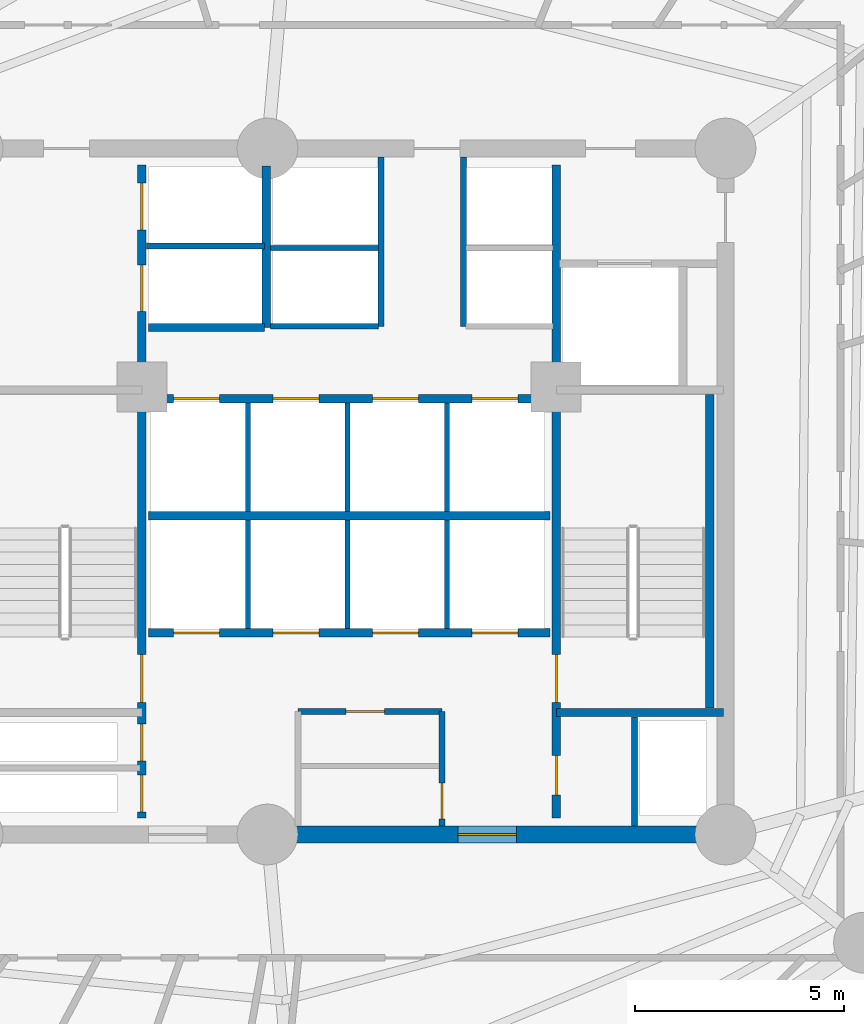
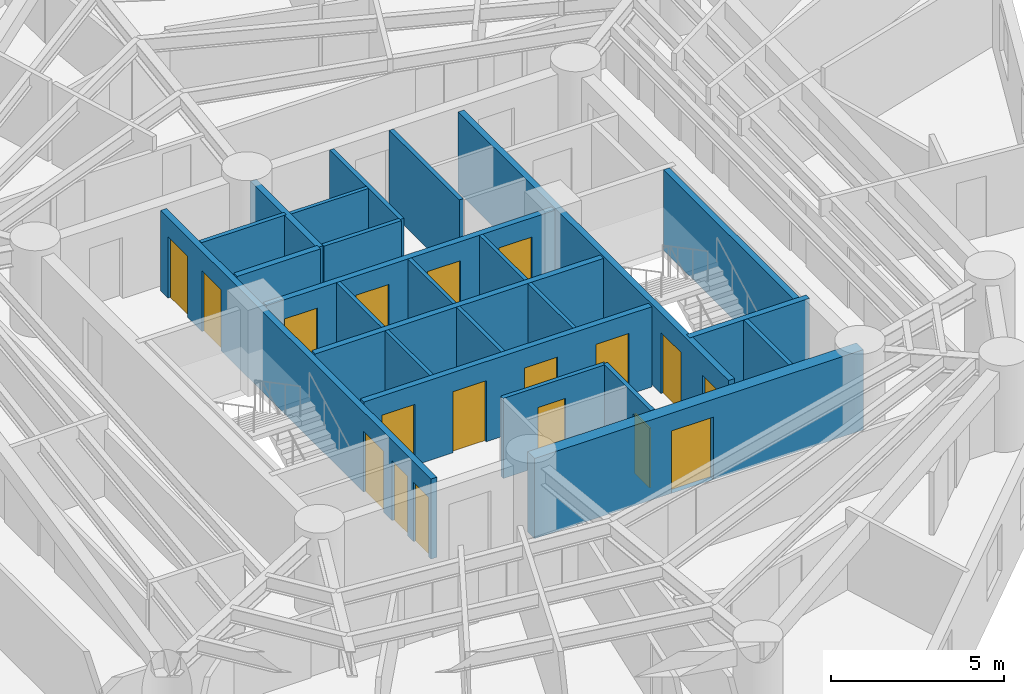
# One storey, part 4 of 8: 24 walls, 18 doors, 18 openings.
"""IFC4 building model written with IfcOpenShell, lengths in metres."""

from ifc_helpers import new_model, si_unit, direction, frame, frame_2d, origin, origin_with_axes, place, context, subcontext, project, spatial, rectangle, extrude, source, transform, mapped, material, layer, layer_set, type_object, element, fill, save


model = new_model("IFC4")

# Units and contexts
model_context = context("Model", 3, precision=1e-05, world=origin(), true_north=direction((0.0, 1.0)))
body_context = subcontext(model_context, "Body", "Model", "MODEL_VIEW")
ifc_project = project(units=[si_unit("LENGTHUNIT", "METRE"), si_unit("AREAUNIT", "SQUARE_METRE"), si_unit("VOLUMEUNIT", "CUBIC_METRE"), si_unit("PLANEANGLEUNIT", "RADIAN"), si_unit("MASSUNIT", "GRAM", prefix="KILO")], contexts=[model_context])

# Site, building, storey
site_placement = place(None, origin())
site = spatial("IfcSite", under=ifc_project, at=site_placement, CompositionType="ELEMENT")
building_placement = place(site_placement, origin())
building = spatial("IfcBuilding", under=site, at=building_placement, Name="Karkom Vertical University and Central Library", CompositionType="ELEMENT")
storey_placement = place(building_placement, frame((0.0, 0.0, 105.35009765625)))
storey = spatial("IfcBuildingStorey", under=building, at=storey_placement, Name="L28", CompositionType="ELEMENT", Elevation=105.35009765625)

# Walls
ifc_material_1 = material(Name="Moisture-resistant drywall 120mm", Category="gypsum")
ifc_layer_1 = layer(ifc_material_1, 0.1201171875)
ifc_layer_set_1 = layer_set([ifc_layer_1], Name="Moisture-resistant drywall 120mm")
wall_type_1 = type_object("IfcWallType", Name="INT-WL-INT-120H", PredefinedType="PARTITIONING", material=ifc_layer_set_1)
for number, where, z_axis, x_axis, name in (
    (1, (26.080078125, 23.219970703125, 0.0), (0.0, 0.0, 1.0), (0.0, 1.0, 0.0), "Level 28 Interior Partition Wall L28-CW-PL-DIV1"),
    (2, (28.4599609375, 23.219970703125, 0.0), (0.0, 0.0, 1.0), (0.0, 1.0, 0.0), "Level 28 Interior Partition Wall L28-CW-PL-DIV2"),
    (3, (30.840087890625, 23.219970703125, 0.0), (0.0, 0.0, 1.0), (0.0, 1.0, 0.0), "Level 28 Interior Partition Wall L28-CW-PL-DIV3"),
    (4, (26.080078125, 26.02001953125, 0.0), (0.0, 0.0, 1.0), (0.0, 1.0, 0.0), "Level 28 Interior Partition Wall L28-CW-PM-DIV1"),
    (5, (28.4599609375, 26.02001953125, 0.0), (0.0, 0.0, 1.0), (0.0, 1.0, 0.0), "Level 28 Interior Partition Wall L28-CW-PM-DIV2"),
    (6, (30.840087890625, 26.02001953125, 0.0), (0.0, 0.0, 1.0), (0.0, 1.0, 0.0), "Level 28 Interior Partition Wall L28-CW-PM-DIV3"),
):
    element("IfcWall", number, at=place(storey_placement, frame(where, z_axis=z_axis, x_axis=x_axis)), inside=storey, type_object=wall_type_1, Name=name, PredefinedType="PARTITIONING", context=body_context, shape_type="SweptSolid", body=[
        extrude(rectangle(XDim=2.60009765625, YDim=0.1201171875, at=frame_2d((1.300048828125, 0.0))), origin(), (0.0, 0.0, 1.0), 2.824951171875),
    ])
wall_1_placement = place(storey_placement, frame((26.6201171875, 32.320068359375, 0.0), z_axis=(0.0, 0.0, 1.0), x_axis=(1.0, 0.0, 0.0)))
element("IfcWall", 7, at=wall_1_placement, inside=storey, type_object=wall_type_1, Name="Level 28 Interior Partition Wall L28-CW-PH-MW", PredefinedType="PARTITIONING", context=body_context, shape_type="SweptSolid", body=[
    extrude(rectangle(XDim=2.579833984375, YDim=0.1201171875, at=frame_2d((1.2900390625, 0.0))), origin(), (0.0, 0.0, 1.0), 2.824951171875),
])

# Wall, opening, door
ifc_material_2 = material(Name="Metal-stud gypsum partition 140mm", Category="gypsum")
ifc_layer_2 = layer(ifc_material_2, 0.139892578125)
ifc_layer_set_2 = layer_set([ifc_layer_2], Name="Metal-stud gypsum partition 140mm")
wall_type_2 = type_object("IfcWallType", Name="INT-WL-SUB-140", PredefinedType="PARTITIONING", material=ifc_layer_set_2)
wall_2_placement = place(storey_placement, frame((27.280029296875, 21.239990234375, 0.0), z_axis=(0.0, 0.0, 1.0), x_axis=(1.0, 0.0, 0.0)))
wall_2 = element("IfcWall", 8, at=wall_2_placement, inside=storey, type_object=wall_type_2, Name="Level 28 Interior Partition Wall L28-CW-KBAY-N", PredefinedType="PARTITIONING", context=body_context, shape_type="SweptSolid", body=[
    extrude(rectangle(XDim=3.43994140625, YDim=0.139892578125, at=frame_2d((1.719970703125, 0.0))), origin(), (0.0, 0.0, 1.0), 2.824951171875),
])
opening_1_placement = place(wall_2_placement, frame((1.14990234375, 0.0, 0.0)))
opening_1 = element("IfcOpeningElement", 9, at=opening_1_placement, cuts=wall_2, Name="Opening D-SVC1", PredefinedType="OPENING", context=body_context, shape_type="SweptSolid", body=[
    extrude(rectangle(XDim=0.919921875, YDim=2.10009765625, at=frame_2d((0.4599609375, 1.050048828125))), frame((0.0, 0.080078125, 0.0), z_axis=(0.0, -1.0, 0.0), x_axis=(1.0, 0.0, 0.0)), (0.0, 0.0, 1.0), 0.159912109375),
])
ifc_material_3 = material(Name="Painted timber service door", Category="wood")
door_type_1 = type_object("IfcDoorType", Name="INT-DR-SVC1", OperationType="NOTDEFINED", PredefinedType="DOOR", material=ifc_material_3)
shared_shape_1 = source(origin_with_axes(), body_context, "Body", "SweptSolid", [
    extrude(rectangle(XDim=0.919921875, YDim=2.10009765625, at=frame_2d((0.4599609375, 1.050048828125))), frame((0.0, 0.02490234375, 0.0), z_axis=(0.0, -1.0, 0.0), x_axis=(1.0, 0.0, 0.0)), (0.0, 0.0, 1.0), 0.050048828125),
])
door_1_placement = place(opening_1_placement, origin())
door_1 = element("IfcDoor", 10, at=door_1_placement, inside=storey, type_object=door_type_1, Name="Level 28 Valve Cupboard Door", OperationType="SINGLE_SWING_LEFT", OverallHeight=2.10009765625, OverallWidth=0.919921875, PredefinedType="DOOR", context=body_context, shape_type="MappedRepresentation", body=[
    mapped(shared_shape_1, transform((0.0, 0.0, 0.0), scale=1.0)),
])
fill(opening_1, door_1)

wall_3_placement = place(storey_placement, frame((30.719970703125, 18.507080078125, 0.0), z_axis=(0.0, 0.0, 1.0), x_axis=(0.0, 1.0, 0.0)))
wall_3 = element("IfcWall", 11, at=wall_3_placement, inside=storey, type_object=wall_type_2, Name="Level 28 Interior Partition Wall L28-CW-KBAY-E", PredefinedType="PARTITIONING", context=body_context, shape_type="SweptSolid", body=[
    extrude(rectangle(XDim=2.73291015625, YDim=0.139892578125, at=frame_2d((1.366455078125, 0.0))), origin(), (0.0, 0.0, 1.0), 2.824951171875),
])
opening_2_placement = place(wall_3_placement, frame((0.159912109375, 0.0, 0.0)))
opening_2 = element("IfcOpeningElement", 12, at=opening_2_placement, cuts=wall_3, Name="Opening FD-BTH1", PredefinedType="OPENING", context=body_context, shape_type="SweptSolid", body=[
    extrude(rectangle(XDim=0.860107421875, YDim=2.10009765625, at=frame_2d((0.43017578125, 1.050048828125))), frame((0.0, 0.080078125, 0.0), z_axis=(0.0, -1.0, 0.0), x_axis=(1.0, 0.0, 0.0)), (0.0, 0.0, 1.0), 0.159912109375),
])
ifc_material_4 = material(Name="Fire-rated moisture-resistant oak door", Category="wood")
door_type_2 = type_object("IfcDoorType", Name="INT-DR-FBTH1", OperationType="NOTDEFINED", PredefinedType="DOOR", material=ifc_material_4)
shared_shape_2 = source(origin_with_axes(), body_context, "Body", "SweptSolid", [
    extrude(rectangle(XDim=0.860107421875, YDim=2.10009765625, at=frame_2d((0.43017578125, 1.050048828125))), frame((0.0, 0.02490234375, 0.0), z_axis=(0.0, -1.0, 0.0), x_axis=(1.0, 0.0, 0.0)), (0.0, 0.0, 1.0), 0.050048828125),
])
door_2_placement = place(opening_2_placement, origin())
door_2 = element("IfcDoor", 13, at=door_2_placement, inside=storey, type_object=door_type_2, Name="Level 28 Metering Cupboard Door", OperationType="SINGLE_SWING_RIGHT", OverallHeight=2.10009765625, OverallWidth=0.860107421875, PredefinedType="DOOR", context=body_context, shape_type="MappedRepresentation", body=[
    mapped(shared_shape_2, transform((0.0, 0.0, 0.0), scale=1.0)),
])
fill(opening_2, door_2)

# Walls
ifc_layer_3 = layer(ifc_material_2, 0.139892578125)
ifc_layer_set_3 = layer_set([ifc_layer_3], Name="Metal-stud gypsum partition 140mm")
wall_type_3 = type_object("IfcWallType", Name="INT-WL-SUB-140H", PredefinedType="PARTITIONING", material=ifc_layer_set_3)
for number, where, z_axis, x_axis, name in (
    (14, (29.260009765625, 30.449951171875, 0.0), (0.0, 0.0, 1.0), (0.0, 1.0, 0.0), "Level 28 Interior Partition Wall L28-CW-PH-W"),
    (15, (31.239990234375, 30.449951171875, 0.0), (0.0, 0.0, 1.0), (0.0, 1.0, 0.0), "Level 28 Interior Partition Wall L28-CW-PH-E"),
):
    element("IfcWall", number, at=place(storey_placement, frame(where, z_axis=z_axis, x_axis=x_axis)), inside=storey, type_object=wall_type_3, Name=name, PredefinedType="PARTITIONING", context=body_context, shape_type="SweptSolid", body=[
        extrude(rectangle(XDim=4.04296875, YDim=0.139892578125, at=frame_2d((2.021484375, 0.0))), origin(), (0.0, 0.0, 1.0), 2.824951171875),
    ])
wall_4_placement = place(storey_placement, frame((26.6201171875, 30.449951171875, 0.0), z_axis=(0.0, 0.0, 1.0), x_axis=(1.0, 0.0, 0.0)))
element("IfcWall", 16, at=wall_4_placement, inside=storey, type_object=wall_type_3, Name="Level 28 Interior Partition Wall L28-CW-PH-S1", PredefinedType="PARTITIONING", context=body_context, shape_type="SweptSolid", body=[
    extrude(rectangle(XDim=2.579833984375, YDim=0.139892578125, at=frame_2d((1.2900390625, 0.0))), origin(), (0.0, 0.0, 1.0), 2.824951171875),
])
wall_5_placement = place(storey_placement, frame((35.320068359375, 18.507080078125, 0.0), z_axis=(0.0, 0.0, 1.0), x_axis=(0.0, 1.0, 0.0)))
element("IfcWall", 17, at=wall_5_placement, inside=storey, type_object=wall_type_3, Name="Level 28 Interior Partition Wall L28-CW-RIS-E", PredefinedType="PARTITIONING", context=body_context, shape_type="SweptSolid", body=[
    extrude(rectangle(XDim=2.603759765625, YDim=0.139892578125, at=frame_2d((1.3017578125, 0.0))), origin(), (0.0, 0.0, 1.0), 2.824951171875),
])
ifc_layer_4 = layer(ifc_material_2, 0.139892578125)
ifc_layer_set_4 = layer_set([ifc_layer_4], Name="Metal-stud gypsum partition 140mm")
wall_type_4 = type_object("IfcWallType", Name="INT-WL-SUB-140X", PredefinedType="PARTITIONING", material=ifc_layer_set_4)
wall_6_placement = place(storey_placement, frame((23.652099609375, 32.3701171875, 0.0), z_axis=(0.0, 0.0, 1.0), x_axis=(1.0, 0.0, 0.0)))
element("IfcWall", 18, at=wall_6_placement, inside=storey, type_object=wall_type_4, Name="Level 28 Interior Partition Wall L28-CW-FFL-M", PredefinedType="PARTITIONING", context=body_context, shape_type="SweptSolid", body=[
    extrude(rectangle(XDim=2.827880859375, YDim=0.139892578125, at=frame_2d((1.4140625, 0.0))), origin(), (0.0, 0.0, 1.0), 2.824951171875),
])

# Wall, opening, door
ifc_material_5 = material(Name="Concrete C50/60", Category="concrete")
ifc_layer_5 = layer(ifc_material_5, 0.39990234375)
ifc_layer_set_5 = layer_set([ifc_layer_5], Name="Concrete C50/60")
wall_type_5 = type_object("IfcWallType", Name="STR-WL-CW-400", PredefinedType="SHEAR", material=ifc_layer_set_5)
wall_7_placement = place(storey_placement, frame((26.550048828125, 18.300048828125, 0.0), z_axis=(0.0, 0.0, 1.0), x_axis=(1.0, 0.0, 0.0)))
wall_7 = element("IfcWall", 19, at=wall_7_placement, inside=storey, type_object=wall_type_5, Name="Level 28 Central Core Shear Wall SW2", PredefinedType="SHEAR", context=body_context, shape_type="SweptSolid", body=[
    extrude(rectangle(XDim=10.949951171875, YDim=0.39990234375, at=frame_2d((5.47509765625, 0.0))), origin(), (0.0, 0.0, 1.0), 2.824951171875),
])
opening_3_placement = place(wall_7_placement, frame((4.550048828125, 0.0, 0.0)))
opening_3 = element("IfcOpeningElement", 20, at=opening_3_placement, cuts=wall_7, Name="Opening FD-CLB", PredefinedType="OPENING", context=body_context, shape_type="SweptSolid", body=[
    extrude(rectangle(XDim=1.39990234375, YDim=2.199951171875, at=frame_2d((0.699951171875, 1.10009765625))), frame((0.0, 0.2099609375, 0.0), z_axis=(0.0, -1.0, 0.0), x_axis=(1.0, 0.0, 0.0)), (0.0, 0.0, 1.0), 0.419921875),
])
ifc_material_6 = material(Name="Painted steel fire door", Category="steel")
door_type_3 = type_object("IfcDoorType", Name="INT-DR-CLB", OperationType="DOUBLE_DOOR_SINGLE_SWING", PredefinedType="DOOR", material=ifc_material_6)
shared_shape_3 = source(origin_with_axes(), body_context, "Body", "SweptSolid", [
    extrude(rectangle(XDim=1.39990234375, YDim=2.199951171875, at=frame_2d((0.699951171875, 1.10009765625))), frame((0.0, 0.02490234375, 0.0), z_axis=(0.0, -1.0, 0.0), x_axis=(1.0, 0.0, 0.0)), (0.0, 0.0, 1.0), 0.050048828125),
])
door_3_placement = place(opening_3_placement, origin())
door_3 = element("IfcDoor", 21, at=door_3_placement, inside=storey, type_object=door_type_3, Name="Level 28 South Core Lobby East Exit Door", OperationType="DOUBLE_DOOR_SINGLE_SWING", OverallHeight=2.199951171875, OverallWidth=1.39990234375, PredefinedType="DOOR", context=body_context, shape_type="MappedRepresentation", body=[
    mapped(shared_shape_3, transform((0.0, 0.0, 0.0), scale=1.0)),
])
fill(opening_3, door_3)

# Wall, openings, doors
ifc_material_7 = material(Name="Concrete C45/55", Category="concrete")
ifc_layer_6 = layer(ifc_material_7, 0.199951171875)
ifc_layer_set_6 = layer_set([ifc_layer_6], Name="Concrete C45/55")
wall_type_6 = type_object("IfcWallType", Name="STR-WL-ST-200", PredefinedType="SHEAR", material=ifc_layer_set_6)
wall_8_placement = place(storey_placement, frame((23.544921875, 18.699951171875, 0.0), z_axis=(0.0, 0.0, 1.0), x_axis=(0.0, 1.0, 0.0)))
wall_8 = element("IfcWall", 22, at=wall_8_placement, inside=storey, type_object=wall_type_6, Name="Level 28 Core Shaft Wall L28-CW-ST1-E", PredefinedType="SHEAR", context=body_context, shape_type="SweptSolid", body=[
    extrude(rectangle(XDim=15.60009765625, YDim=0.199951171875, at=frame_2d((7.800048828125, 0.0))), origin(), (0.0, 0.0, 1.0), 2.824951171875),
])
opening_4_placement = place(wall_8_placement, frame((2.75, 0.0, 0.0)))
opening_4 = element("IfcOpeningElement", 23, at=opening_4_placement, cuts=wall_8, Name="Opening FD-ST1", PredefinedType="OPENING", context=body_context, shape_type="SweptSolid", body=[
    extrude(rectangle(XDim=1.14990234375, YDim=2.14990234375, at=frame_2d((0.574951171875, 1.074951171875))), frame((0.0, 0.10986328125, 0.0), z_axis=(0.0, -1.0, 0.0), x_axis=(1.0, 0.0, 0.0)), (0.0, 0.0, 1.0), 0.219970703125),
])
opening_5_placement = place(wall_8_placement, frame((0.139892578125, 0.0, 0.0)))
opening_5 = element("IfcOpeningElement", 24, at=opening_5_placement, cuts=wall_8, Name="Opening FD-RIS", PredefinedType="OPENING", context=body_context, shape_type="SweptSolid", body=[
    extrude(rectangle(XDim=0.8798828125, YDim=2.10009765625, at=frame_2d((0.43994140625, 1.050048828125))), frame((0.0, 0.10986328125, 0.0), z_axis=(0.0, -1.0, 0.0), x_axis=(1.0, 0.0, 0.0)), (0.0, 0.0, 1.0), 0.219970703125),
])
opening_6_placement = place(wall_8_placement, frame((1.360107421875, 0.0, 0.0)))
opening_6 = element("IfcOpeningElement", 25, at=opening_6_placement, cuts=wall_8, Name="Opening FD-RIS", PredefinedType="OPENING", context=body_context, shape_type="SweptSolid", body=[
    extrude(rectangle(XDim=0.8798828125, YDim=2.10009765625, at=frame_2d((0.43994140625, 1.050048828125))), frame((0.0, 0.10986328125, 0.0), z_axis=(0.0, -1.0, 0.0), x_axis=(1.0, 0.0, 0.0)), (0.0, 0.0, 1.0), 0.219970703125),
])
opening_7_placement = place(wall_8_placement, frame((12.10009765625, 0.0, 0.0)))
opening_7 = element("IfcOpeningElement", 26, at=opening_7_placement, cuts=wall_8, Name="Opening LD-FFL", PredefinedType="OPENING", context=body_context, shape_type="SweptSolid", body=[
    extrude(rectangle(XDim=1.1201171875, YDim=2.14990234375, at=frame_2d((0.56005859375, 1.074951171875))), frame((0.0, 0.10986328125, 0.0), z_axis=(0.0, -1.0, 0.0), x_axis=(1.0, 0.0, 0.0)), (0.0, 0.0, 1.0), 0.219970703125),
])
opening_8_placement = place(wall_8_placement, frame((14.050048828125, 0.0, 0.0)))
opening_8 = element("IfcOpeningElement", 27, at=opening_8_placement, cuts=wall_8, Name="Opening LD-FFL", PredefinedType="OPENING", context=body_context, shape_type="SweptSolid", body=[
    extrude(rectangle(XDim=1.1201171875, YDim=2.14990234375, at=frame_2d((0.56005859375, 1.074951171875))), frame((0.0, 0.10986328125, 0.0), z_axis=(0.0, -1.0, 0.0), x_axis=(1.0, 0.0, 0.0)), (0.0, 0.0, 1.0), 0.219970703125),
])
ifc_material_8 = material(Name="Painted steel acoustic fire door", Category="steel")
door_type_4 = type_object("IfcDoorType", Name="INT-DR-ST1", OperationType="NOTDEFINED", PredefinedType="DOOR", material=ifc_material_8)
shared_shape_4 = source(origin_with_axes(), body_context, "Body", "SweptSolid", [
    extrude(rectangle(XDim=1.14990234375, YDim=2.14990234375, at=frame_2d((0.574951171875, 1.074951171875))), frame((0.0, 0.02490234375, 0.0), z_axis=(0.0, -1.0, 0.0), x_axis=(1.0, 0.0, 0.0)), (0.0, 0.0, 1.0), 0.050048828125),
])
door_4_placement = place(opening_4_placement, origin())
door_4 = element("IfcDoor", 28, at=door_4_placement, inside=storey, type_object=door_type_4, Name="Level 28 Stair ST-1 Fire Door", OperationType="SINGLE_SWING_LEFT", OverallHeight=2.14990234375, OverallWidth=1.14990234375, PredefinedType="DOOR", context=body_context, shape_type="MappedRepresentation", body=[
    mapped(shared_shape_4, transform((0.0, 0.0, 0.0), scale=1.0)),
])
fill(opening_4, door_4)
ifc_material_9 = material(Name="Painted steel riser access door", Category="steel")
door_type_5 = type_object("IfcDoorType", Name="INT-DR-RIS", OperationType="NOTDEFINED", PredefinedType="DOOR", material=ifc_material_9)
shared_shape_5 = source(origin_with_axes(), body_context, "Body", "SweptSolid", [
    extrude(rectangle(XDim=0.8798828125, YDim=2.10009765625, at=frame_2d((0.43994140625, 1.050048828125))), frame((0.0, 0.02490234375, 0.0), z_axis=(0.0, -1.0, 0.0), x_axis=(1.0, 0.0, 0.0)), (0.0, 0.0, 1.0), 0.050048828125),
])
door_5_placement = place(opening_5_placement, origin())
door_5 = element("IfcDoor", 29, at=door_5_placement, inside=storey, type_object=door_type_5, Name="Level 28 Electrical Riser Access Door", OperationType="SINGLE_SWING_LEFT", OverallHeight=2.10009765625, OverallWidth=0.8798828125, PredefinedType="DOOR", context=body_context, shape_type="MappedRepresentation", body=[
    mapped(shared_shape_5, transform((0.0, 0.0, 0.0), scale=1.0)),
])
fill(opening_5, door_5)
door_6_placement = place(opening_6_placement, origin())
door_6 = element("IfcDoor", 30, at=door_6_placement, inside=storey, type_object=door_type_5, Name="Level 28 Telecom Riser Access Door", OperationType="SINGLE_SWING_RIGHT", OverallHeight=2.10009765625, OverallWidth=0.8798828125, PredefinedType="DOOR", context=body_context, shape_type="MappedRepresentation", body=[
    mapped(shared_shape_5, transform((0.0, 0.0, 0.0), scale=1.0)),
])
fill(opening_6, door_6)
ifc_material_10 = material(Name="Fire-rated stainless-steel landing door", Category="steel")
door_type_6 = type_object("IfcDoorType", Name="INT-DR-LD-FFL", OperationType="SLIDING_TO_LEFT", PredefinedType="DOOR", material=ifc_material_10)
shared_shape_6 = source(origin_with_axes(), body_context, "Body", "SweptSolid", [
    extrude(rectangle(XDim=1.1201171875, YDim=2.14990234375, at=frame_2d((0.56005859375, 1.074951171875))), frame((0.0, 0.02490234375, 0.0), z_axis=(0.0, -1.0, 0.0), x_axis=(1.0, 0.0, 0.0)), (0.0, 0.0, 1.0), 0.050048828125),
])
door_7_placement = place(opening_7_placement, origin())
door_7 = element("IfcDoor", 31, at=door_7_placement, inside=storey, type_object=door_type_6, Name="Level 28 Firefighting Lift FFL-1 Landing Door", OperationType="SLIDING_TO_LEFT", OverallHeight=2.14990234375, OverallWidth=1.1201171875, PredefinedType="DOOR", context=body_context, shape_type="MappedRepresentation", body=[
    mapped(shared_shape_6, transform((0.0, 0.0, 0.0), scale=1.0)),
])
fill(opening_7, door_7)
door_8_placement = place(opening_8_placement, origin())
door_8 = element("IfcDoor", 32, at=door_8_placement, inside=storey, type_object=door_type_6, Name="Level 28 Firefighting Lift FFL-2 Landing Door", OperationType="SLIDING_TO_RIGHT", OverallHeight=2.14990234375, OverallWidth=1.1201171875, PredefinedType="DOOR", context=body_context, shape_type="MappedRepresentation", body=[
    mapped(shared_shape_6, transform((0.0, 0.0, 0.0), scale=1.0)),
])
fill(opening_8, door_8)

wall_9_placement = place(storey_placement, frame((33.455078125, 18.699951171875, 0.0), z_axis=(0.0, 0.0, 1.0), x_axis=(0.0, 1.0, 0.0)))
wall_9 = element("IfcWall", 33, at=wall_9_placement, inside=storey, type_object=wall_type_6, Name="Level 28 Core Shaft Wall L28-CW-ST2-W", PredefinedType="SHEAR", context=body_context, shape_type="SweptSolid", body=[
    extrude(rectangle(XDim=15.60009765625, YDim=0.199951171875, at=frame_2d((7.800048828125, 0.0))), origin(), (0.0, 0.0, 1.0), 2.824951171875),
])
opening_9_placement = place(wall_9_placement, frame((2.75, 0.0, 0.0)))
opening_9 = element("IfcOpeningElement", 34, at=opening_9_placement, cuts=wall_9, Name="Opening FD-ST1", PredefinedType="OPENING", context=body_context, shape_type="SweptSolid", body=[
    extrude(rectangle(XDim=1.14990234375, YDim=2.14990234375, at=frame_2d((0.574951171875, 1.074951171875))), frame((0.0, 0.10986328125, 0.0), z_axis=(0.0, -1.0, 0.0), x_axis=(1.0, 0.0, 0.0)), (0.0, 0.0, 1.0), 0.219970703125),
])
opening_10_placement = place(wall_9_placement, frame((0.550048828125, 0.0, 0.0)))
opening_10 = element("IfcOpeningElement", 35, at=opening_10_placement, cuts=wall_9, Name="Opening D-WC1", PredefinedType="OPENING", context=body_context, shape_type="SweptSolid", body=[
    extrude(rectangle(XDim=0.93994140625, YDim=2.10009765625, at=frame_2d((0.469970703125, 1.050048828125))), frame((0.0, 0.10986328125, 0.0), z_axis=(0.0, -1.0, 0.0), x_axis=(1.0, 0.0, 0.0)), (0.0, 0.0, 1.0), 0.219970703125),
])
door_9_placement = place(opening_9_placement, origin())
door_9 = element("IfcDoor", 36, at=door_9_placement, inside=storey, type_object=door_type_4, Name="Level 28 Stair ST-2 Fire Door", OperationType="SINGLE_SWING_RIGHT", OverallHeight=2.14990234375, OverallWidth=1.14990234375, PredefinedType="DOOR", context=body_context, shape_type="MappedRepresentation", body=[
    mapped(shared_shape_4, transform((0.0, 0.0, 0.0), scale=1.0)),
])
fill(opening_9, door_9)
ifc_material_11 = material(Name="Fire-rated laminate moisture-resistant door", Category="wood")
door_type_7 = type_object("IfcDoorType", Name="INT-DR-WC1", OperationType="NOTDEFINED", PredefinedType="DOOR", material=ifc_material_11)
shared_shape_7 = source(origin_with_axes(), body_context, "Body", "SweptSolid", [
    extrude(rectangle(XDim=0.93994140625, YDim=2.10009765625, at=frame_2d((0.469970703125, 1.050048828125))), frame((0.0, 0.02490234375, 0.0), z_axis=(0.0, -1.0, 0.0), x_axis=(1.0, 0.0, 0.0)), (0.0, 0.0, 1.0), 0.050048828125),
])
door_10_placement = place(opening_10_placement, origin())
door_10 = element("IfcDoor", 37, at=door_10_placement, inside=storey, type_object=door_type_7, Name="Level 28 Accessible WC Door", OperationType="SINGLE_SWING_LEFT", OverallHeight=2.10009765625, OverallWidth=0.93994140625, PredefinedType="DOOR", context=body_context, shape_type="MappedRepresentation", body=[
    mapped(shared_shape_7, transform((0.0, 0.0, 0.0), scale=1.0)),
])
fill(opening_10, door_10)

wall_10_placement = place(storey_placement, frame((23.699951171875, 23.1201171875, 0.0), z_axis=(0.0, 0.0, 1.0), x_axis=(1.0, 0.0, 0.0)))
wall_10 = element("IfcWall", 38, at=wall_10_placement, inside=storey, type_object=wall_type_6, Name="Level 28 Core Shaft Wall L28-CW-B1-S", PredefinedType="SHEAR", context=body_context, shape_type="SweptSolid", body=[
    extrude(rectangle(XDim=9.60009765625, YDim=0.199951171875, at=frame_2d((4.800048828125, 0.0))), origin(), (0.0, 0.0, 1.0), 2.824951171875),
])
opening_11_placement = place(wall_10_placement, frame((0.60009765625, 0.0, 0.0)))
opening_11 = element("IfcOpeningElement", 39, at=opening_11_placement, cuts=wall_10, Name="Opening LD-PAX", PredefinedType="OPENING", context=body_context, shape_type="SweptSolid", body=[
    extrude(rectangle(XDim=1.10009765625, YDim=2.14990234375, at=frame_2d((0.550048828125, 1.074951171875))), frame((0.0, 0.10986328125, 0.0), z_axis=(0.0, -1.0, 0.0), x_axis=(1.0, 0.0, 0.0)), (0.0, 0.0, 1.0), 0.219970703125),
])
opening_12_placement = place(wall_10_placement, frame((2.97998046875, 0.0, 0.0)))
opening_12 = element("IfcOpeningElement", 40, at=opening_12_placement, cuts=wall_10, Name="Opening LD-PAX", PredefinedType="OPENING", context=body_context, shape_type="SweptSolid", body=[
    extrude(rectangle(XDim=1.10009765625, YDim=2.14990234375, at=frame_2d((0.550048828125, 1.074951171875))), frame((0.0, 0.10986328125, 0.0), z_axis=(0.0, -1.0, 0.0), x_axis=(1.0, 0.0, 0.0)), (0.0, 0.0, 1.0), 0.219970703125),
])
opening_13_placement = place(wall_10_placement, frame((5.360107421875, 0.0, 0.0)))
opening_13 = element("IfcOpeningElement", 41, at=opening_13_placement, cuts=wall_10, Name="Opening LD-PAX", PredefinedType="OPENING", context=body_context, shape_type="SweptSolid", body=[
    extrude(rectangle(XDim=1.10009765625, YDim=2.14990234375, at=frame_2d((0.550048828125, 1.074951171875))), frame((0.0, 0.10986328125, 0.0), z_axis=(0.0, -1.0, 0.0), x_axis=(1.0, 0.0, 0.0)), (0.0, 0.0, 1.0), 0.219970703125),
])
opening_14_placement = place(wall_10_placement, frame((7.739990234375, 0.0, 0.0)))
opening_14 = element("IfcOpeningElement", 42, at=opening_14_placement, cuts=wall_10, Name="Opening LD-PAX", PredefinedType="OPENING", context=body_context, shape_type="SweptSolid", body=[
    extrude(rectangle(XDim=1.10009765625, YDim=2.14990234375, at=frame_2d((0.550048828125, 1.074951171875))), frame((0.0, 0.10986328125, 0.0), z_axis=(0.0, -1.0, 0.0), x_axis=(1.0, 0.0, 0.0)), (0.0, 0.0, 1.0), 0.219970703125),
])
ifc_material_12 = material(Name="Brushed stainless-steel landing door", Category="steel")
door_type_8 = type_object("IfcDoorType", Name="INT-DR-LD-PAX", OperationType="SLIDING_TO_LEFT", PredefinedType="DOOR", material=ifc_material_12)
shared_shape_8 = source(origin_with_axes(), body_context, "Body", "SweptSolid", [
    extrude(rectangle(XDim=1.10009765625, YDim=2.14990234375, at=frame_2d((0.550048828125, 1.074951171875))), frame((0.0, 0.02490234375, 0.0), z_axis=(0.0, -1.0, 0.0), x_axis=(1.0, 0.0, 0.0)), (0.0, 0.0, 1.0), 0.050048828125),
])
door_11_placement = place(opening_11_placement, origin())
door_11 = element("IfcDoor", 43, at=door_11_placement, inside=storey, type_object=door_type_8, Name="Level 28 Lift PL-1 Landing Door", OperationType="SLIDING_TO_LEFT", OverallHeight=2.14990234375, OverallWidth=1.10009765625, PredefinedType="DOOR", context=body_context, shape_type="MappedRepresentation", body=[
    mapped(shared_shape_8, transform((0.0, 0.0, 0.0), scale=1.0)),
])
fill(opening_11, door_11)
door_12_placement = place(opening_12_placement, origin())
door_12 = element("IfcDoor", 44, at=door_12_placement, inside=storey, type_object=door_type_8, Name="Level 28 Lift PL-2 Landing Door", OperationType="SLIDING_TO_RIGHT", OverallHeight=2.14990234375, OverallWidth=1.10009765625, PredefinedType="DOOR", context=body_context, shape_type="MappedRepresentation", body=[
    mapped(shared_shape_8, transform((0.0, 0.0, 0.0), scale=1.0)),
])
fill(opening_12, door_12)
door_13_placement = place(opening_13_placement, origin())
door_13 = element("IfcDoor", 45, at=door_13_placement, inside=storey, type_object=door_type_8, Name="Level 28 Lift PL-3 Landing Door", OperationType="SLIDING_TO_LEFT", OverallHeight=2.14990234375, OverallWidth=1.10009765625, PredefinedType="DOOR", context=body_context, shape_type="MappedRepresentation", body=[
    mapped(shared_shape_8, transform((0.0, 0.0, 0.0), scale=1.0)),
])
fill(opening_13, door_13)
door_14_placement = place(opening_14_placement, origin())
door_14 = element("IfcDoor", 46, at=door_14_placement, inside=storey, type_object=door_type_8, Name="Level 28 Lift PL-4 Landing Door", OperationType="SLIDING_TO_RIGHT", OverallHeight=2.14990234375, OverallWidth=1.10009765625, PredefinedType="DOOR", context=body_context, shape_type="MappedRepresentation", body=[
    mapped(shared_shape_8, transform((0.0, 0.0, 0.0), scale=1.0)),
])
fill(opening_14, door_14)

# Wall
wall_11_placement = place(storey_placement, frame((23.699951171875, 25.919921875, 0.0), z_axis=(0.0, 0.0, 1.0), x_axis=(1.0, 0.0, 0.0)))
element("IfcWall", 47, at=wall_11_placement, inside=storey, type_object=wall_type_6, Name="Level 28 Core Shaft Wall L28-CW-B1-N", PredefinedType="SHEAR", context=body_context, shape_type="SweptSolid", body=[
    extrude(rectangle(XDim=9.60009765625, YDim=0.199951171875, at=frame_2d((4.800048828125, 0.0))), origin(), (0.0, 0.0, 1.0), 2.824951171875),
])

# Wall, openings, doors
wall_12_placement = place(storey_placement, frame((23.699951171875, 28.719970703125, 0.0), z_axis=(0.0, 0.0, 1.0), x_axis=(1.0, 0.0, 0.0)))
wall_12 = element("IfcWall", 48, at=wall_12_placement, inside=storey, type_object=wall_type_6, Name="Level 28 Core Shaft Wall L28-CW-B2-N", PredefinedType="SHEAR", context=body_context, shape_type="SweptSolid", body=[
    extrude(rectangle(XDim=9.60009765625, YDim=0.199951171875, at=frame_2d((4.800048828125, 0.0))), origin(), (0.0, 0.0, 1.0), 2.824951171875),
])
opening_15_placement = place(wall_12_placement, frame((0.60009765625, 0.0, 0.0)))
opening_15 = element("IfcOpeningElement", 49, at=opening_15_placement, cuts=wall_12, Name="Opening LD-PAX", PredefinedType="OPENING", context=body_context, shape_type="SweptSolid", body=[
    extrude(rectangle(XDim=1.10009765625, YDim=2.14990234375, at=frame_2d((0.550048828125, 1.074951171875))), frame((0.0, 0.10986328125, 0.0), z_axis=(0.0, -1.0, 0.0), x_axis=(1.0, 0.0, 0.0)), (0.0, 0.0, 1.0), 0.219970703125),
])
opening_16_placement = place(wall_12_placement, frame((2.97998046875, 0.0, 0.0)))
opening_16 = element("IfcOpeningElement", 50, at=opening_16_placement, cuts=wall_12, Name="Opening LD-PAX", PredefinedType="OPENING", context=body_context, shape_type="SweptSolid", body=[
    extrude(rectangle(XDim=1.10009765625, YDim=2.14990234375, at=frame_2d((0.550048828125, 1.074951171875))), frame((0.0, 0.10986328125, 0.0), z_axis=(0.0, -1.0, 0.0), x_axis=(1.0, 0.0, 0.0)), (0.0, 0.0, 1.0), 0.219970703125),
])
opening_17_placement = place(wall_12_placement, frame((5.360107421875, 0.0, 0.0)))
opening_17 = element("IfcOpeningElement", 51, at=opening_17_placement, cuts=wall_12, Name="Opening LD-PAX", PredefinedType="OPENING", context=body_context, shape_type="SweptSolid", body=[
    extrude(rectangle(XDim=1.10009765625, YDim=2.14990234375, at=frame_2d((0.550048828125, 1.074951171875))), frame((0.0, 0.10986328125, 0.0), z_axis=(0.0, -1.0, 0.0), x_axis=(1.0, 0.0, 0.0)), (0.0, 0.0, 1.0), 0.219970703125),
])
opening_18_placement = place(wall_12_placement, frame((7.739990234375, 0.0, 0.0)))
opening_18 = element("IfcOpeningElement", 52, at=opening_18_placement, cuts=wall_12, Name="Opening LD-PAX", PredefinedType="OPENING", context=body_context, shape_type="SweptSolid", body=[
    extrude(rectangle(XDim=1.10009765625, YDim=2.14990234375, at=frame_2d((0.550048828125, 1.074951171875))), frame((0.0, 0.10986328125, 0.0), z_axis=(0.0, -1.0, 0.0), x_axis=(1.0, 0.0, 0.0)), (0.0, 0.0, 1.0), 0.219970703125),
])
door_15_placement = place(opening_15_placement, origin())
door_15 = element("IfcDoor", 53, at=door_15_placement, inside=storey, type_object=door_type_8, Name="Level 28 Lift PM-1 Landing Door", OperationType="SLIDING_TO_LEFT", OverallHeight=2.14990234375, OverallWidth=1.10009765625, PredefinedType="DOOR", context=body_context, shape_type="MappedRepresentation", body=[
    mapped(shared_shape_8, transform((0.0, 0.0, 0.0), scale=1.0)),
])
fill(opening_15, door_15)
door_16_placement = place(opening_16_placement, origin())
door_16 = element("IfcDoor", 54, at=door_16_placement, inside=storey, type_object=door_type_8, Name="Level 28 Lift PM-2 Landing Door", OperationType="SLIDING_TO_RIGHT", OverallHeight=2.14990234375, OverallWidth=1.10009765625, PredefinedType="DOOR", context=body_context, shape_type="MappedRepresentation", body=[
    mapped(shared_shape_8, transform((0.0, 0.0, 0.0), scale=1.0)),
])
fill(opening_16, door_16)
door_17_placement = place(opening_17_placement, origin())
door_17 = element("IfcDoor", 55, at=door_17_placement, inside=storey, type_object=door_type_8, Name="Level 28 Lift PM-3 Landing Door", OperationType="SLIDING_TO_LEFT", OverallHeight=2.14990234375, OverallWidth=1.10009765625, PredefinedType="DOOR", context=body_context, shape_type="MappedRepresentation", body=[
    mapped(shared_shape_8, transform((0.0, 0.0, 0.0), scale=1.0)),
])
fill(opening_17, door_17)
door_18_placement = place(opening_18_placement, origin())
door_18 = element("IfcDoor", 56, at=door_18_placement, inside=storey, type_object=door_type_8, Name="Level 28 Lift PM-4 Landing Door", OperationType="SLIDING_TO_RIGHT", OverallHeight=2.14990234375, OverallWidth=1.10009765625, PredefinedType="DOOR", context=body_context, shape_type="MappedRepresentation", body=[
    mapped(shared_shape_8, transform((0.0, 0.0, 0.0), scale=1.0)),
])
fill(opening_18, door_18)

# Walls
wall_13_placement = place(storey_placement, frame((37.125, 21.320068359375, 0.0), z_axis=(0.0, 0.0, 1.0), x_axis=(0.0, 1.0, 0.0)))
element("IfcWall", 57, at=wall_13_placement, inside=storey, type_object=wall_type_6, Name="Level 28 Core Shaft Wall L28-CW-ST2-E", PredefinedType="SHEAR", context=body_context, shape_type="SweptSolid", body=[
    extrude(rectangle(XDim=7.5, YDim=0.199951171875, at=frame_2d((3.75, 0.0))), origin(), (0.0, 0.0, 1.0), 2.824951171875),
])
wall_14_placement = place(storey_placement, frame((33.455078125, 21.215087890625, 0.0), z_axis=(0.0, 0.0, 1.0), x_axis=(1.0, 0.0, 0.0)))
element("IfcWall", 58, at=wall_14_placement, inside=storey, type_object=wall_type_6, Name="Level 28 Core Shaft Wall L28-CW-ST2-S", PredefinedType="SHEAR", context=body_context, shape_type="SweptSolid", body=[
    extrude(rectangle(XDim=3.994873046875, YDim=0.199951171875, at=frame_2d((1.99755859375, 0.0))), origin(), (0.0, 0.0, 1.0), 2.824951171875),
])
wall_15_placement = place(storey_placement, frame((26.52001953125, 30.419921875, 0.0), z_axis=(0.0, 0.0, 1.0), x_axis=(0.0, 1.0, 0.0)))
element("IfcWall", 59, at=wall_15_placement, inside=storey, type_object=wall_type_6, Name="Level 28 Core Shaft Wall L28-CW-FFL-E", PredefinedType="SHEAR", context=body_context, shape_type="SweptSolid", body=[
    extrude(rectangle(XDim=3.860107421875, YDim=0.199951171875, at=frame_2d((1.93017578125, 0.0))), origin(), (0.0, 0.0, 1.0), 2.824951171875),
])
wall_16_placement = place(storey_placement, frame((23.699951171875, 30.419921875, 0.0), z_axis=(0.0, 0.0, 1.0), x_axis=(1.0, 0.0, 0.0)))
element("IfcWall", 60, at=wall_16_placement, inside=storey, type_object=wall_type_6, Name="Level 28 Core Shaft Wall L28-CW-FFL-S", PredefinedType="SHEAR", context=body_context, shape_type="SweptSolid", body=[
    extrude(rectangle(XDim=2.780029296875, YDim=0.199951171875, at=frame_2d((1.39013671875, 0.0))), origin(), (0.0, 0.0, 1.0), 2.824951171875),
])

save(model, "model.ifc")
